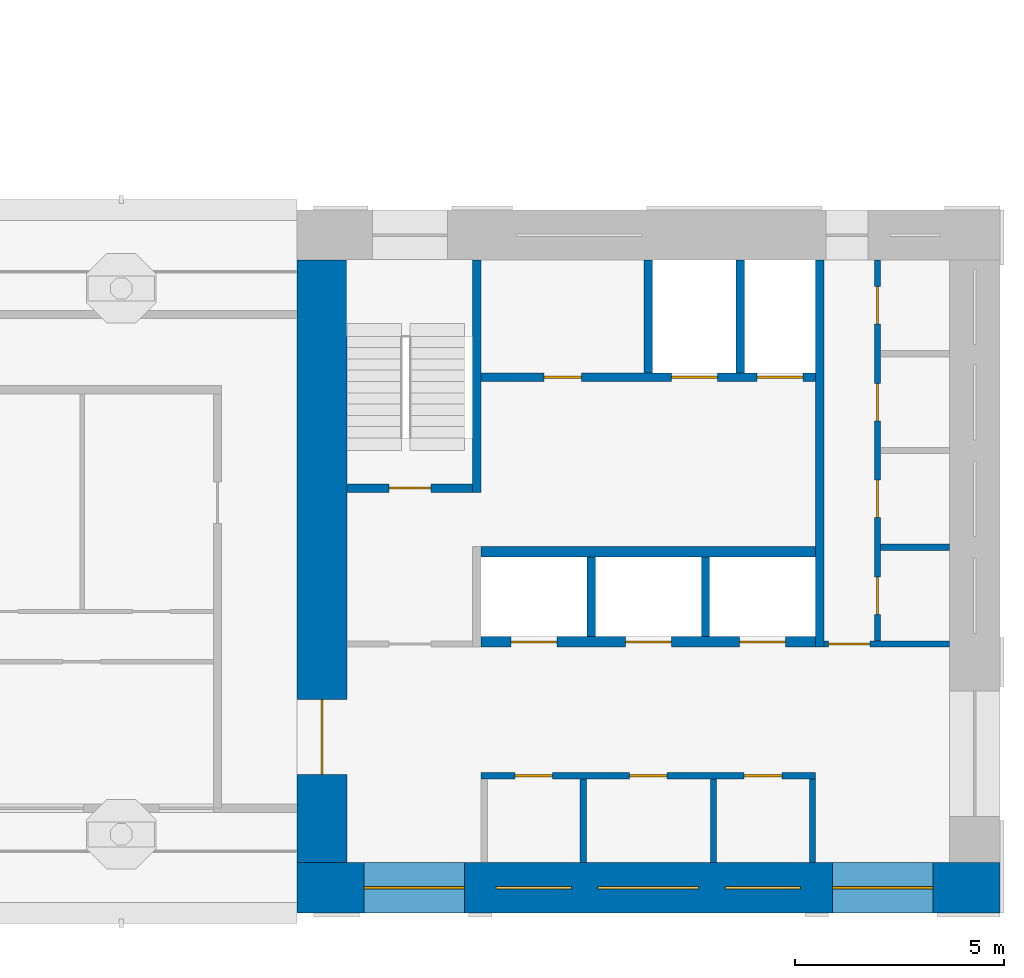
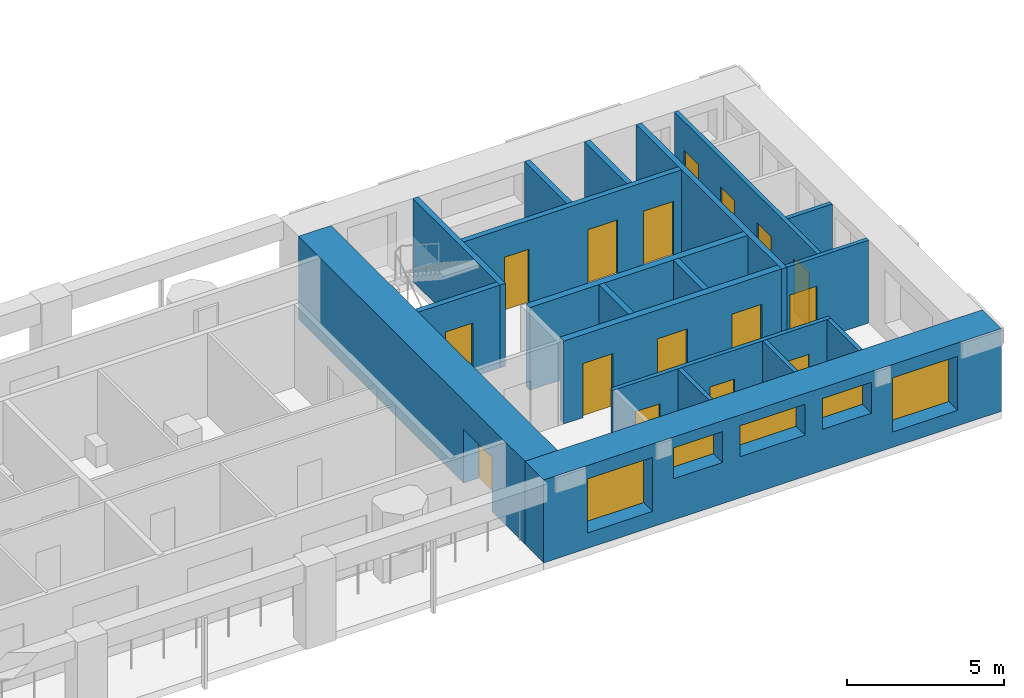
# One storey, part 4 of 12: 19 walls, 16 doors, 5 windows, 21 openings.
"""IFC4 building model written with IfcOpenShell, lengths in metres."""

import ifcopenshell
import ifcopenshell.guid

model = None  # the IFC model being written
_history = None  # IfcOwnerHistory: only IFC2X3 demands one
_inside = {}  # id of a spatial element -> (the spatial element, [elements in it])
_under = {}  # id of a project, library or spatial element -> (it, [spatial elements below it])
_declared = {}  # id of a project -> (the project, [libraries it declares])
_typed = {}  # id of a type object -> (the type object, [elements of that type])
_made_of = {}  # id of a material, layer set ... -> (it, [elements and type objects made of it])


def new_model(schema):
    """Start an empty IFC model of exactly this schema.

    Asked for "IFC4X3", IfcOpenShell would pick the latest addendum, in which some entities
    have other attributes; the version numbers below select the first issue.
    IFC2X3 requires an IfcOwnerHistory on every rooted entity: one is made here for all.
    """
    global model, _history
    if schema == "IFC4X3":
        model = ifcopenshell.file(schema_version=(4, 3, 0, 0))
    else:
        model = ifcopenshell.file(schema=schema)
    _inside.clear()
    _under.clear()
    _declared.clear()
    _typed.clear()
    _made_of.clear()
    _history = None
    if model.schema == "IFC2X3":
        org = make("IfcOrganization", Name="unknown")
        user = make(
            "IfcPersonAndOrganization",
            ThePerson=make("IfcPerson", FamilyName="unknown"),
            TheOrganization=org,
        )
        app = make(
            "IfcApplication",
            ApplicationDeveloper=org,
            Version="unknown",
            ApplicationFullName="unknown",
            ApplicationIdentifier="unknown",
        )
        _history = make(
            "IfcOwnerHistory",
            OwningUser=user,
            OwningApplication=app,
            ChangeAction="ADDED",
            CreationDate=0,
        )
    return model


def make(cls, **values):
    """One entity of the class cls with the attributes given. An attribute that is None is left unset."""
    return model.create_entity(
        cls, **{name: value for name, value in values.items() if value is not None}
    )


def rooted(cls, **values):
    """An entity with a GlobalId (a new one), such as an element, a storey or a relation."""
    return make(cls, GlobalId=ifcopenshell.guid.new(), OwnerHistory=_history, **values)


def si_unit(unit_type, name, prefix=None):
    """IfcSIUnit, for example si_unit("LENGTHUNIT", "METRE", prefix="MILLI")."""
    return make("IfcSIUnit", UnitType=unit_type, Prefix=prefix, Name=name)


def assignment(units):
    """IfcUnitAssignment: the units of a project."""
    return None if units is None else make("IfcUnitAssignment", Units=units)


def point(xyz):
    """IfcCartesianPoint."""
    return None if xyz is None else make("IfcCartesianPoint", Coordinates=xyz)


def direction(xyz):
    """IfcDirection."""
    return None if xyz is None else make("IfcDirection", DirectionRatios=xyz)


def frame(location, z_axis=None, x_axis=None):
    """IfcAxis2Placement3D, a coordinate frame: its origin and axes. An axis left out is left unset."""
    return make(
        "IfcAxis2Placement3D",
        Location=point(location),
        Axis=direction(z_axis),
        RefDirection=direction(x_axis),
    )


def frame_2d(location, x_axis=None):
    """IfcAxis2Placement2D, a coordinate frame in the plane: its origin and x axis."""
    return make(
        "IfcAxis2Placement2D", Location=point(location), RefDirection=direction(x_axis)
    )


def origin():
    """The frame at (0, 0, 0) with its axes left unset."""
    return frame((0.0, 0.0, 0.0))


def place(relative_to, where):
    """IfcLocalPlacement: puts the frame where relative to a parent placement (None: the world)."""
    return make(
        "IfcLocalPlacement", PlacementRelTo=relative_to, RelativePlacement=where
    )


def context(
    kind, dimensions, precision=None, world=None, true_north=None, identifier=None
):
    """IfcGeometricRepresentationContext, for example the 3D "Model" context."""
    return make(
        "IfcGeometricRepresentationContext",
        ContextIdentifier=identifier,
        ContextType=kind,
        CoordinateSpaceDimension=dimensions,
        Precision=precision,
        WorldCoordinateSystem=world,
        TrueNorth=true_north,
    )


def subcontext(parent, identifier, kind, view, scale=None):
    """IfcGeometricRepresentationSubContext, for example "Body" below "Model"."""
    return make(
        "IfcGeometricRepresentationSubContext",
        ContextIdentifier=identifier,
        ContextType=kind,
        ParentContext=parent,
        TargetScale=scale,
        TargetView=view,
    )


def project(units=None, contexts=None):
    """IfcProject with its units and contexts."""
    return rooted(
        "IfcProject",
        Name="project",
        RepresentationContexts=contexts,
        UnitsInContext=assignment(units),
    )


def spatial(cls, under=None, at=None, **own):
    """A site, building, storey or space (cls), placed at a placement, below another one or the project."""
    s = rooted(cls, ObjectPlacement=at, **own)
    if under is not None:
        _under.setdefault(under.id(), (under, []))[1].append(s)
    return s


def profile(cls, at=None, kind="AREA", **sizes):
    """A parametric profile (cls). Its sizes go by their IFC names, for example OverallWidth=200.0."""
    return make(cls, ProfileType=kind, Position=at, **sizes)


def rectangle(**sizes):
    """IfcRectangleProfileDef."""
    return profile("IfcRectangleProfileDef", **sizes)


def extrude(swept, where, along, depth):
    """IfcExtrudedAreaSolid: the profile swept, set in the frame where, extruded along a direction by depth."""
    return make(
        "IfcExtrudedAreaSolid",
        SweptArea=swept,
        Position=where,
        ExtrudedDirection=direction(along),
        Depth=depth,
    )


def shape(context_of_items, identifier, shape_type, items):
    """IfcShapeRepresentation: the items that make up one representation, for example the "Body"."""
    return make(
        "IfcShapeRepresentation",
        ContextOfItems=context_of_items,
        RepresentationIdentifier=identifier,
        RepresentationType=shape_type,
        Items=items,
    )


def material(Name=None, Category=None):
    """IfcMaterial."""
    return make("IfcMaterial", Name=Name, Category=Category)


def layer(
    of_material, thickness, ventilated=None, Name=None, Category=None, Priority=None
):
    """IfcMaterialLayer: one layer of a wall or slab, of a material (None: an air gap)."""
    return make(
        "IfcMaterialLayer",
        Material=of_material,
        LayerThickness=thickness,
        IsVentilated=ventilated,
        Name=Name,
        Category=Category,
        Priority=Priority,
    )


def layer_set(layers, Name=None):
    """IfcMaterialLayerSet."""
    return make("IfcMaterialLayerSet", MaterialLayers=layers, LayerSetName=Name)


def made_of(thing, what):
    """Note that an element or type object is made of a material, layer set ...; save() writes the relation."""
    if what is not None:
        _made_of.setdefault(what.id(), (what, []))[1].append(thing)
    return thing


def type_object(cls, material=None, **own):
    """A type object (cls), such as IfcWallType, which elements share."""
    return made_of(rooted(cls, **own), material)


def element(
    cls,
    number,
    at=None,
    inside=None,
    cuts=None,
    type_object=None,
    material=None,
    context=None,
    identifier="Body",
    shape_type=None,
    held_by="IfcProductDefinitionShape",
    body=None,
    shapes=None,
    **own,
):
    """One element of the class cls, such as IfcWall. Its Tag is "e" and its number.

    at: its placement. inside: the storey or other place that contains it. cuts: it is an
    opening in that element (IfcRelVoidsElement). A single representation is given by context,
    identifier, shape_type and body (its items); several are given by shapes. held_by: the class
    of the entity that holds the representations. save() writes the other relations.
    """
    e = rooted(cls, Tag="e%d" % number, ObjectPlacement=at, **own)
    if body is not None:
        shapes = [shape(context, identifier, shape_type, body)]
    if shapes is not None:
        e.Representation = make(held_by, Representations=shapes)
    if inside is not None:
        _inside.setdefault(inside.id(), (inside, []))[1].append(e)
    if cuts is not None:
        rooted(
            "IfcRelVoidsElement", RelatingBuildingElement=cuts, RelatedOpeningElement=e
        )
    if type_object is not None:
        _typed.setdefault(type_object.id(), (type_object, []))[1].append(e)
    return made_of(e, material)


def fill(opening, filler):
    """IfcRelFillsElement: the door or window that sits in an opening."""
    return rooted(
        "IfcRelFillsElement",
        RelatingOpeningElement=opening,
        RelatedBuildingElement=filler,
    )


def aggregate(whole, parts):
    """IfcRelAggregates: a whole, such as a stair, and the parts it consists of."""
    return rooted("IfcRelAggregates", RelatingObject=whole, RelatedObjects=parts)


def save(model, path):
    """Write the relations noted so far, then the file.

    IfcRelAggregates (storeys below a building ...), IfcRelContainedInSpatialStructure (elements
    in a storey), IfcRelDefinesByType, IfcRelAssociatesMaterial and IfcRelDeclares: one each for
    every whole, place, type object, material and project.
    """
    for whole, parts in _under.values():
        aggregate(whole, parts)
    for where, things in _inside.values():
        rooted(
            "IfcRelContainedInSpatialStructure",
            RelatedElements=things,
            RelatingStructure=where,
        )
    for kind, things in _typed.values():
        rooted("IfcRelDefinesByType", RelatedObjects=things, RelatingType=kind)
    for what, things in _made_of.values():
        rooted("IfcRelAssociatesMaterial", RelatedObjects=things, RelatingMaterial=what)
    for by, libraries in _declared.values():
        rooted("IfcRelDeclares", RelatingContext=by, RelatedDefinitions=libraries)
    model.write(path)


model = new_model("IFC4")

# Units and contexts
model_context = context("Model", 3, precision=1e-05, world=origin(), true_north=direction((0.0, 1.0)))
body_context = subcontext(model_context, "Body", "Model", "MODEL_VIEW")
ifc_project = project(units=[si_unit("LENGTHUNIT", "METRE"), si_unit("AREAUNIT", "SQUARE_METRE"), si_unit("VOLUMEUNIT", "CUBIC_METRE"), si_unit("PLANEANGLEUNIT", "RADIAN"), si_unit("MASSUNIT", "GRAM", prefix="KILO")], contexts=[model_context])

# Site, building, storey
site_placement = place(None, origin())
site = spatial("IfcSite", under=ifc_project, at=site_placement, CompositionType="ELEMENT")
building_placement = place(site_placement, origin())
building = spatial("IfcBuilding", under=site, at=building_placement, Name="Vermilion Gate Residences", CompositionType="ELEMENT")
storey_placement = place(building_placement, frame((0.0, 0.0, 242.199951171875)))
storey = spatial("IfcBuildingStorey", under=building, at=storey_placement, Name="L63", CompositionType="ELEMENT", Elevation=242.199951171875)

# Walls
ifc_material_1 = material(Name="Masonry blockwork", Category="masonry")
ifc_layer_1 = layer(ifc_material_1, 0.14990234375)
ifc_layer_set_1 = layer_set([ifc_layer_1], Name="BLOCKWORK PARTITION 150 EI 120")
wall_type_1 = type_object("IfcWallType", Name="BLOCKWORK PARTITION 150 EI 120", PredefinedType="PARTITIONING", material=ifc_layer_set_1)
for number, where, z_axis, x_axis, name in (
    (1, (54.324951171875, 9.60009765625, 0.0), (0.0, 0.0, 1.0), (0.0, 1.0, 0.0), "Core room partition A63-RW-E"),
    (2, (48.844970703125, 9.60009765625, 0.0), (0.0, 0.0, 1.0), (0.0, 1.0, 0.0), "Core room partition A63-SR-P0"),
    (3, (51.955078125, 9.60009765625, 0.0), (0.0, 0.0, 1.0), (0.0, 1.0, 0.0), "Core room partition A63-SR-P1"),
):
    element("IfcWall", number, at=place(storey_placement, frame(where, z_axis=z_axis, x_axis=x_axis)), inside=storey, type_object=wall_type_1, Name=name, PredefinedType="PARTITIONING", context=body_context, shape_type="SweptSolid", body=[
        extrude(rectangle(XDim=2.0, YDim=0.14990234375, at=frame_2d((1.0, 0.0))), origin(), (0.0, 0.0, 1.0), 3.219970703125),
    ])

# Wall, openings, doors
wall_1_placement = place(storey_placement, frame((46.39990234375, 11.675048828125, 0.0), z_axis=(0.0, 0.0, 1.0), x_axis=(1.0, 0.0, 0.0)))
wall_1 = element("IfcWall", 4, at=wall_1_placement, inside=storey, type_object=wall_type_1, Name="Core room partition A63-LR-F", PredefinedType="PARTITIONING", context=body_context, shape_type="SweptSolid", body=[
    extrude(rectangle(XDim=8.0, YDim=0.14990234375, at=frame_2d((4.0, 0.0))), origin(), (0.0, 0.0, 1.0), 3.219970703125),
])
opening_1_placement = place(wall_1_placement, frame((0.81005859375, 0.0, 0.0)))
opening_1 = element("IfcOpeningElement", 5, at=opening_1_placement, cuts=wall_1, Name="Opening DK63002", PredefinedType="OPENING", context=body_context, shape_type="SweptSolid", body=[
    extrude(rectangle(XDim=0.89990234375, YDim=2.10009765625, at=frame_2d((0.449951171875, 1.050048828125))), frame((0.0, 0.0849609375, 0.0), z_axis=(0.0, -1.0, 0.0), x_axis=(1.0, 0.0, 0.0)), (0.0, 0.0, 1.0), 0.169921875),
])
opening_2_placement = place(wall_1_placement, frame((3.550048828125, 0.0, 0.0)))
opening_2 = element("IfcOpeningElement", 6, at=opening_2_placement, cuts=wall_1, Name="Opening DK63003", PredefinedType="OPENING", context=body_context, shape_type="SweptSolid", body=[
    extrude(rectangle(XDim=0.89990234375, YDim=2.10009765625, at=frame_2d((0.449951171875, 1.050048828125))), frame((0.0, 0.0849609375, 0.0), z_axis=(0.0, -1.0, 0.0), x_axis=(1.0, 0.0, 0.0)), (0.0, 0.0, 1.0), 0.169921875),
])
opening_3_placement = place(wall_1_placement, frame((6.2900390625, 0.0, 0.0)))
opening_3 = element("IfcOpeningElement", 7, at=opening_3_placement, cuts=wall_1, Name="Opening DK63004", PredefinedType="OPENING", context=body_context, shape_type="SweptSolid", body=[
    extrude(rectangle(XDim=0.89990234375, YDim=2.10009765625, at=frame_2d((0.449951171875, 1.050048828125))), frame((0.0, 0.0849609375, 0.0), z_axis=(0.0, -1.0, 0.0), x_axis=(1.0, 0.0, 0.0)), (0.0, 0.0, 1.0), 0.169921875),
])
ifc_material_2 = material(Name="Steel", Category="steel")
door_type_1 = type_object("IfcDoorType", Name="SERVICE ROOM DOOR FD60 900 X 2100", OperationType="SINGLE_SWING_LEFT", PredefinedType="DOOR", material=ifc_material_2)
door_1_placement = place(opening_1_placement, origin())
door_1 = element("IfcDoor", 8, at=door_1_placement, inside=storey, type_object=door_type_1, Name="Electrical room A63", OperationType="SINGLE_SWING_LEFT", OverallHeight=2.10009765625, OverallWidth=0.89990234375, PredefinedType="DOOR", context=body_context, shape_type="SweptSolid", body=[
    extrude(rectangle(XDim=0.89990234375, YDim=2.10009765625, at=frame_2d((0.449951171875, 1.050048828125))), frame((0.0, 0.02490234375, 0.0), z_axis=(0.0, -1.0, 0.0), x_axis=(1.0, 0.0, 0.0)), (0.0, 0.0, 1.0), 0.050048828125),
])
fill(opening_1, door_1)
door_2_placement = place(opening_2_placement, frame((0.89990234375, 0.0, 0.0), z_axis=(0.0, 0.0, 1.0), x_axis=(-1.0, 0.0, 0.0)))
door_2 = element("IfcDoor", 9, at=door_2_placement, inside=storey, type_object=door_type_1, Name="Communications room A63", OperationType="SINGLE_SWING_RIGHT", OverallHeight=2.10009765625, OverallWidth=0.89990234375, PredefinedType="DOOR", context=body_context, shape_type="SweptSolid", body=[
    extrude(rectangle(XDim=0.89990234375, YDim=2.10009765625, at=frame_2d((0.449951171875, 1.050048828125))), frame((0.0, 0.02490234375, 0.0), z_axis=(0.0, -1.0, 0.0), x_axis=(1.0, 0.0, 0.0)), (0.0, 0.0, 1.0), 0.050048828125),
])
fill(opening_2, door_2)
door_3_placement = place(opening_3_placement, frame((0.89990234375, 0.0, 0.0), z_axis=(0.0, 0.0, 1.0), x_axis=(-1.0, 0.0, 0.0)))
door_3 = element("IfcDoor", 10, at=door_3_placement, inside=storey, type_object=door_type_1, Name="Refuse room A63", OperationType="SINGLE_SWING_RIGHT", OverallHeight=2.10009765625, OverallWidth=0.89990234375, PredefinedType="DOOR", context=body_context, shape_type="SweptSolid", body=[
    extrude(rectangle(XDim=0.89990234375, YDim=2.10009765625, at=frame_2d((0.449951171875, 1.050048828125))), frame((0.0, 0.02490234375, 0.0), z_axis=(0.0, -1.0, 0.0), x_axis=(1.0, 0.0, 0.0)), (0.0, 0.0, 1.0), 0.050048828125),
])
fill(opening_3, door_3)

# Wall, opening, door
wall_2_placement = place(storey_placement, frame((54.60009765625, 14.824951171875, 0.0), z_axis=(0.0, 0.0, 1.0), x_axis=(1.0, 0.0, 0.0)))
wall_2 = element("IfcWall", 11, at=wall_2_placement, inside=storey, type_object=wall_type_1, Name="Core room partition A63-ES-S", PredefinedType="PARTITIONING", context=body_context, shape_type="SweptSolid", body=[
    extrude(rectangle(XDim=3.0, YDim=0.14990234375, at=frame_2d((1.5, 0.0))), origin(), (0.0, 0.0, 1.0), 3.219970703125),
])
opening_4_placement = place(wall_2_placement, frame((0.10009765625, 0.0, 0.0)))
opening_4 = element("IfcOpeningElement", 12, at=opening_4_placement, cuts=wall_2, Name="Opening DK63013", PredefinedType="OPENING", context=body_context, shape_type="SweptSolid", body=[
    extrude(rectangle(XDim=1.0, YDim=2.10009765625, at=frame_2d((0.5, 1.050048828125))), frame((0.0, 0.0849609375, 0.0), z_axis=(0.0, -1.0, 0.0), x_axis=(1.0, 0.0, 0.0)), (0.0, 0.0, 1.0), 0.169921875),
])
ifc_material_3 = material(Name="Steel", Category="steel")
door_type_2 = type_object("IfcDoorType", Name="FIRE DOOR FD60 1000 X 2100", OperationType="SINGLE_SWING_LEFT", PredefinedType="DOOR", material=ifc_material_3)
door_4_placement = place(opening_4_placement, frame((1.0, 0.0, 0.0), z_axis=(0.0, 0.0, 1.0), x_axis=(-1.0, 0.0, 0.0)))
door_4 = element("IfcDoor", 13, at=door_4_placement, inside=storey, type_object=door_type_2, Name="Service corridor door A63", OperationType="SINGLE_SWING_LEFT", OverallHeight=2.10009765625, OverallWidth=1.0, PredefinedType="DOOR", context=body_context, shape_type="SweptSolid", body=[
    extrude(rectangle(XDim=1.0, YDim=2.10009765625, at=frame_2d((0.5, 1.050048828125))), frame((0.0, 0.02490234375, 0.0), z_axis=(0.0, -1.0, 0.0), x_axis=(1.0, 0.0, 0.0)), (0.0, 0.0, 1.0), 0.050048828125),
])
fill(opening_4, door_4)

# Wall
wall_3_placement = place(storey_placement, frame((55.949951171875, 17.137451171875, 0.0), z_axis=(0.0, 0.0, 1.0), x_axis=(1.0, 0.0, 0.0)))
element("IfcWall", 14, at=wall_3_placement, inside=storey, type_object=wall_type_1, Name="Core room partition A63-ES-P0", PredefinedType="PARTITIONING", context=body_context, shape_type="SweptSolid", body=[
    extrude(rectangle(XDim=1.650146484375, YDim=0.14990234375, at=frame_2d((0.8251953125, 0.0))), origin(), (0.0, 0.0, 1.0), 3.219970703125),
])

# Wall, openings, doors
wall_4_placement = place(storey_placement, frame((55.875, 14.89990234375, 0.0), z_axis=(0.0, 0.0, 1.0), x_axis=(0.0, 1.0, 0.0)))
wall_4 = element("IfcWall", 15, at=wall_4_placement, inside=storey, type_object=wall_type_1, Name="Core room partition A63-ES-W", PredefinedType="PARTITIONING", context=body_context, shape_type="SweptSolid", body=[
    extrude(rectangle(XDim=9.10009765625, YDim=0.14990234375, at=frame_2d((4.550048828125, 0.0))), origin(), (0.0, 0.0, 1.0), 3.219970703125),
])
opening_5_placement = place(wall_4_placement, frame((0.63134765625, 0.0, 0.0)))
opening_5 = element("IfcOpeningElement", 16, at=opening_5_placement, cuts=wall_4, Name="Opening DK63014", PredefinedType="OPENING", context=body_context, shape_type="SweptSolid", body=[
    extrude(rectangle(XDim=0.89990234375, YDim=2.10009765625, at=frame_2d((0.449951171875, 1.050048828125))), frame((0.0, 0.0849609375, 0.0), z_axis=(0.0, -1.0, 0.0), x_axis=(1.0, 0.0, 0.0)), (0.0, 0.0, 1.0), 0.169921875),
])
opening_6_placement = place(wall_4_placement, frame((2.94384765625, 0.0, 0.0)))
opening_6 = element("IfcOpeningElement", 17, at=opening_6_placement, cuts=wall_4, Name="Opening DK63015", PredefinedType="OPENING", context=body_context, shape_type="SweptSolid", body=[
    extrude(rectangle(XDim=0.89990234375, YDim=2.10009765625, at=frame_2d((0.449951171875, 1.050048828125))), frame((0.0, 0.0849609375, 0.0), z_axis=(0.0, -1.0, 0.0), x_axis=(1.0, 0.0, 0.0)), (0.0, 0.0, 1.0), 0.169921875),
])
opening_7_placement = place(wall_4_placement, frame((5.25634765625, 0.0, 0.0)))
opening_7 = element("IfcOpeningElement", 18, at=opening_7_placement, cuts=wall_4, Name="Opening DK63016", PredefinedType="OPENING", context=body_context, shape_type="SweptSolid", body=[
    extrude(rectangle(XDim=0.89990234375, YDim=2.10009765625, at=frame_2d((0.449951171875, 1.050048828125))), frame((0.0, 0.0849609375, 0.0), z_axis=(0.0, -1.0, 0.0), x_axis=(1.0, 0.0, 0.0)), (0.0, 0.0, 1.0), 0.169921875),
])
opening_8_placement = place(wall_4_placement, frame((7.56884765625, 0.0, 0.0)))
opening_8 = element("IfcOpeningElement", 19, at=opening_8_placement, cuts=wall_4, Name="Opening DK63017", PredefinedType="OPENING", context=body_context, shape_type="SweptSolid", body=[
    extrude(rectangle(XDim=0.89990234375, YDim=2.10009765625, at=frame_2d((0.449951171875, 1.050048828125))), frame((0.0, 0.0849609375, 0.0), z_axis=(0.0, -1.0, 0.0), x_axis=(1.0, 0.0, 0.0)), (0.0, 0.0, 1.0), 0.169921875),
])
door_5_placement = place(opening_5_placement, frame((0.89990234375, 0.0, 0.0), z_axis=(0.0, 0.0, 1.0), x_axis=(-1.0, 0.0, 0.0)))
door_5 = element("IfcDoor", 20, at=door_5_placement, inside=storey, type_object=door_type_1, Name="Storage room A63", OperationType="SINGLE_SWING_RIGHT", OverallHeight=2.10009765625, OverallWidth=0.89990234375, PredefinedType="DOOR", context=body_context, shape_type="SweptSolid", body=[
    extrude(rectangle(XDim=0.89990234375, YDim=2.10009765625, at=frame_2d((0.449951171875, 1.050048828125))), frame((0.0, 0.02490234375, 0.0), z_axis=(0.0, -1.0, 0.0), x_axis=(1.0, 0.0, 0.0)), (0.0, 0.0, 1.0), 0.050048828125),
])
fill(opening_5, door_5)
door_6_placement = place(opening_6_placement, frame((0.89990234375, 0.0, 0.0), z_axis=(0.0, 0.0, 1.0), x_axis=(-1.0, 0.0, 0.0)))
door_6 = element("IfcDoor", 21, at=door_6_placement, inside=storey, type_object=door_type_1, Name="Refuse room A63", OperationType="SINGLE_SWING_RIGHT", OverallHeight=2.10009765625, OverallWidth=0.89990234375, PredefinedType="DOOR", context=body_context, shape_type="SweptSolid", body=[
    extrude(rectangle(XDim=0.89990234375, YDim=2.10009765625, at=frame_2d((0.449951171875, 1.050048828125))), frame((0.0, 0.02490234375, 0.0), z_axis=(0.0, -1.0, 0.0), x_axis=(1.0, 0.0, 0.0)), (0.0, 0.0, 1.0), 0.050048828125),
])
fill(opening_6, door_6)
door_7_placement = place(opening_7_placement, frame((0.89990234375, 0.0, 0.0), z_axis=(0.0, 0.0, 1.0), x_axis=(-1.0, 0.0, 0.0)))
door_7 = element("IfcDoor", 22, at=door_7_placement, inside=storey, type_object=door_type_1, Name="Parcel room A63", OperationType="SINGLE_SWING_RIGHT", OverallHeight=2.10009765625, OverallWidth=0.89990234375, PredefinedType="DOOR", context=body_context, shape_type="SweptSolid", body=[
    extrude(rectangle(XDim=0.89990234375, YDim=2.10009765625, at=frame_2d((0.449951171875, 1.050048828125))), frame((0.0, 0.02490234375, 0.0), z_axis=(0.0, -1.0, 0.0), x_axis=(1.0, 0.0, 0.0)), (0.0, 0.0, 1.0), 0.050048828125),
])
fill(opening_7, door_7)
door_8_placement = place(opening_8_placement, frame((0.89990234375, 0.0, 0.0), z_axis=(0.0, 0.0, 1.0), x_axis=(-1.0, 0.0, 0.0)))
door_8 = element("IfcDoor", 23, at=door_8_placement, inside=storey, type_object=door_type_1, Name="Cleaner's store A63", OperationType="SINGLE_SWING_RIGHT", OverallHeight=2.10009765625, OverallWidth=0.89990234375, PredefinedType="DOOR", context=body_context, shape_type="SweptSolid", body=[
    extrude(rectangle(XDim=0.89990234375, YDim=2.10009765625, at=frame_2d((0.449951171875, 1.050048828125))), frame((0.0, 0.02490234375, 0.0), z_axis=(0.0, -1.0, 0.0), x_axis=(1.0, 0.0, 0.0)), (0.0, 0.0, 1.0), 0.050048828125),
])
fill(opening_8, door_8)

# Walls
ifc_material_4 = material(Name="Concrete C60", Category="concrete")
ifc_layer_2 = layer(ifc_material_4, 0.199951171875)
ifc_layer_set_2 = layer_set([ifc_layer_2], Name="RC CORE INTERNAL WALL 200 C60")
wall_type_2 = type_object("IfcWallType", Name="RC CORE INTERNAL WALL 200 C60", PredefinedType="SHEAR", material=ifc_layer_set_2)
for number, where, z_axis, x_axis, name in (
    (24, (49.033447265625, 15.0, 0.0), (0.0, 0.0, 1.0), (0.0, 1.0, 0.0), "Core internal wall A63-HR-D1"),
    (25, (51.7666015625, 15.0, 0.0), (0.0, 0.0, 1.0), (0.0, 1.0, 0.0), "Core internal wall A63-HR-D2"),
):
    element("IfcWall", number, at=place(storey_placement, frame(where, z_axis=z_axis, x_axis=x_axis)), inside=storey, type_object=wall_type_2, Name=name, PredefinedType="SHEAR", context=body_context, shape_type="SweptSolid", body=[
        extrude(rectangle(XDim=1.89990234375, YDim=0.199951171875, at=frame_2d((0.949951171875, 0.0))), origin(), (0.0, 0.0, 1.0), 3.219970703125),
    ])
for number, where, z_axis, x_axis, name in (
    (26, (50.39990234375, 21.300048828125, 0.0), (0.0, 0.0, 1.0), (0.0, 1.0, 0.0), "Core internal wall A63-FF-D0"),
    (27, (52.60009765625, 21.300048828125, 0.0), (0.0, 0.0, 1.0), (0.0, 1.0, 0.0), "Core internal wall A63-FF-D1"),
):
    element("IfcWall", number, at=place(storey_placement, frame(where, z_axis=z_axis, x_axis=x_axis)), inside=storey, type_object=wall_type_2, Name=name, PredefinedType="SHEAR", context=body_context, shape_type="SweptSolid", body=[
        extrude(rectangle(XDim=2.699951171875, YDim=0.199951171875, at=frame_2d((1.35009765625, 0.0))), origin(), (0.0, 0.0, 1.0), 3.219970703125),
    ])

# Wall, openings, doors
wall_5_placement = place(storey_placement, frame((46.39990234375, 21.199951171875, 0.0), z_axis=(0.0, 0.0, 1.0), x_axis=(1.0, 0.0, 0.0)))
wall_5 = element("IfcWall", 28, at=wall_5_placement, inside=storey, type_object=wall_type_2, Name="Core internal wall A63-FF-F", PredefinedType="SHEAR", context=body_context, shape_type="SweptSolid", body=[
    extrude(rectangle(XDim=8.0, YDim=0.199951171875, at=frame_2d((4.0, 0.0))), origin(), (0.0, 0.0, 1.0), 3.219970703125),
])
opening_9_placement = place(wall_5_placement, frame((1.5, 0.0, 0.0)))
opening_9 = element("IfcOpeningElement", 29, at=opening_9_placement, cuts=wall_5, Name="Opening DK63008", PredefinedType="OPENING", context=body_context, shape_type="SweptSolid", body=[
    extrude(rectangle(XDim=0.89990234375, YDim=2.10009765625, at=frame_2d((0.449951171875, 1.050048828125))), frame((0.0, 0.10986328125, 0.0), z_axis=(0.0, -1.0, 0.0), x_axis=(1.0, 0.0, 0.0)), (0.0, 0.0, 1.0), 0.219970703125),
])
opening_10_placement = place(wall_5_placement, frame((4.550048828125, 0.0, 0.0)))
opening_10 = element("IfcOpeningElement", 30, at=opening_10_placement, cuts=wall_5, Name="Opening LD", PredefinedType="OPENING", context=body_context, shape_type="SweptSolid", body=[
    extrude(rectangle(XDim=1.10009765625, YDim=2.10009765625, at=frame_2d((0.550048828125, 1.050048828125))), frame((0.0, 0.10986328125, 0.0), z_axis=(0.0, -1.0, 0.0), x_axis=(1.0, 0.0, 0.0)), (0.0, 0.0, 1.0), 0.219970703125),
])
opening_11_placement = place(wall_5_placement, frame((6.60009765625, 0.0, 0.0)))
opening_11 = element("IfcOpeningElement", 31, at=opening_11_placement, cuts=wall_5, Name="Opening LD", PredefinedType="OPENING", context=body_context, shape_type="SweptSolid", body=[
    extrude(rectangle(XDim=1.10009765625, YDim=2.10009765625, at=frame_2d((0.550048828125, 1.050048828125))), frame((0.0, 0.10986328125, 0.0), z_axis=(0.0, -1.0, 0.0), x_axis=(1.0, 0.0, 0.0)), (0.0, 0.0, 1.0), 0.219970703125),
])
ifc_material_5 = material(Name="Stainless steel", Category="steel")
door_type_3 = type_object("IfcDoorType", Name="LIFT LANDING DOOR E60 1100 X 2100", OperationType="DOUBLE_DOOR_SLIDING", PredefinedType="DOOR", material=ifc_material_5)
door_9_placement = place(opening_10_placement, origin())
door_9 = element("IfcDoor", 32, at=door_9_placement, inside=storey, type_object=door_type_3, Name="Lift landing door LFA1", OperationType="DOUBLE_DOOR_SLIDING", OverallHeight=2.10009765625, OverallWidth=1.10009765625, PredefinedType="DOOR", context=body_context, shape_type="SweptSolid", body=[
    extrude(rectangle(XDim=1.10009765625, YDim=2.10009765625, at=frame_2d((0.550048828125, 1.050048828125))), frame((0.0, 0.02490234375, 0.0), z_axis=(0.0, -1.0, 0.0), x_axis=(1.0, 0.0, 0.0)), (0.0, 0.0, 1.0), 0.050048828125),
])
fill(opening_10, door_9)
door_10_placement = place(opening_11_placement, origin())
door_10 = element("IfcDoor", 33, at=door_10_placement, inside=storey, type_object=door_type_3, Name="Lift landing door LCA1", OperationType="DOUBLE_DOOR_SLIDING", OverallHeight=2.10009765625, OverallWidth=1.10009765625, PredefinedType="DOOR", context=body_context, shape_type="SweptSolid", body=[
    extrude(rectangle(XDim=1.10009765625, YDim=2.10009765625, at=frame_2d((0.550048828125, 1.050048828125))), frame((0.0, 0.02490234375, 0.0), z_axis=(0.0, -1.0, 0.0), x_axis=(1.0, 0.0, 0.0)), (0.0, 0.0, 1.0), 0.050048828125),
])
fill(opening_11, door_10)
door_11_placement = place(opening_9_placement, origin())
door_11 = element("IfcDoor", 34, at=door_11_placement, inside=storey, type_object=door_type_1, Name="Electrical riser A63", OperationType="SINGLE_SWING_LEFT", OverallHeight=2.10009765625, OverallWidth=0.89990234375, PredefinedType="DOOR", context=body_context, shape_type="SweptSolid", body=[
    extrude(rectangle(XDim=0.89990234375, YDim=2.10009765625, at=frame_2d((0.449951171875, 1.050048828125))), frame((0.0, 0.02490234375, 0.0), z_axis=(0.0, -1.0, 0.0), x_axis=(1.0, 0.0, 0.0)), (0.0, 0.0, 1.0), 0.050048828125),
])
fill(opening_9, door_11)

# Wall
wall_6_placement = place(storey_placement, frame((46.300048828125, 18.449951171875, 0.0), z_axis=(0.0, 0.0, 1.0), x_axis=(0.0, 1.0, 0.0)))
element("IfcWall", 35, at=wall_6_placement, inside=storey, type_object=wall_type_2, Name="Core internal wall A63-WDIV2", PredefinedType="SHEAR", context=body_context, shape_type="SweptSolid", body=[
    extrude(rectangle(XDim=5.550048828125, YDim=0.199951171875, at=frame_2d((2.77490234375, 0.0))), origin(), (0.0, 0.0, 1.0), 3.219970703125),
])

# Wall, opening, door
wall_7_placement = place(storey_placement, frame((43.199951171875, 18.550048828125, 0.0), z_axis=(0.0, 0.0, 1.0), x_axis=(1.0, 0.0, 0.0)))
wall_7 = element("IfcWall", 36, at=wall_7_placement, inside=storey, type_object=wall_type_2, Name="Core internal wall A63-STW-S", PredefinedType="SHEAR", context=body_context, shape_type="SweptSolid", body=[
    extrude(rectangle(XDim=3.0, YDim=0.199951171875, at=frame_2d((1.5, 0.0))), origin(), (0.0, 0.0, 1.0), 3.219970703125),
])
opening_12_placement = place(wall_7_placement, frame((1.0, 0.0, 0.0)))
opening_12 = element("IfcOpeningElement", 37, at=opening_12_placement, cuts=wall_7, Name="Opening DK63012", PredefinedType="OPENING", context=body_context, shape_type="SweptSolid", body=[
    extrude(rectangle(XDim=1.0, YDim=2.10009765625, at=frame_2d((0.5, 1.050048828125))), frame((0.0, 0.10986328125, 0.0), z_axis=(0.0, -1.0, 0.0), x_axis=(1.0, 0.0, 0.0)), (0.0, 0.0, 1.0), 0.219970703125),
])
door_12_placement = place(opening_12_placement, origin())
door_12 = element("IfcDoor", 38, at=door_12_placement, inside=storey, type_object=door_type_2, Name="Stair door A63", OperationType="SINGLE_SWING_LEFT", OverallHeight=2.10009765625, OverallWidth=1.0, PredefinedType="DOOR", context=body_context, shape_type="SweptSolid", body=[
    extrude(rectangle(XDim=1.0, YDim=2.10009765625, at=frame_2d((0.5, 1.050048828125))), frame((0.0, 0.02490234375, 0.0), z_axis=(0.0, -1.0, 0.0), x_axis=(1.0, 0.0, 0.0)), (0.0, 0.0, 1.0), 0.050048828125),
])
fill(opening_12, door_12)

# Wall
wall_8_placement = place(storey_placement, frame((54.5, 14.75, 0.0), z_axis=(0.0, 0.0, 1.0), x_axis=(0.0, 1.0, 0.0)))
element("IfcWall", 39, at=wall_8_placement, inside=storey, type_object=wall_type_2, Name="Core internal wall A63-EDIV", PredefinedType="SHEAR", context=body_context, shape_type="SweptSolid", body=[
    extrude(rectangle(XDim=9.25, YDim=0.199951171875, at=frame_2d((4.625, 0.0))), origin(), (0.0, 0.0, 1.0), 3.219970703125),
])

# Wall, opening, door
ifc_material_6 = material(Name="Concrete C50", Category="concrete")
ifc_layer_3 = layer(ifc_material_6, 1.199951171875)
ifc_layer_set_3 = layer_set([ifc_layer_3], Name="RC CORE WALL 1200 C50")
wall_type_3 = type_object("IfcWallType", Name="RC CORE WALL 1200 C50", PredefinedType="SHEAR", material=ifc_layer_set_3)
wall_9_placement = place(storey_placement, frame((42.60009765625, 9.60009765625, 0.0), z_axis=(0.0, 0.0, 1.0), x_axis=(0.0, 1.0, 0.0)))
wall_9 = element("IfcWall", 40, at=wall_9_placement, inside=storey, type_object=wall_type_3, Name="Core wall A63-OUT-FR", PredefinedType="SHEAR", context=body_context, shape_type="SweptSolid", body=[
    extrude(rectangle(XDim=14.39990234375, YDim=1.199951171875, at=frame_2d((7.199951171875, 0.0))), origin(), (0.0, 0.0, 1.0), 3.219970703125),
])
opening_13_placement = place(wall_9_placement, frame((2.10009765625, 0.0, 0.0)))
opening_13 = element("IfcOpeningElement", 41, at=opening_13_placement, cuts=wall_9, Name="Opening DK63001", PredefinedType="OPENING", context=body_context, shape_type="SweptSolid", body=[
    extrude(rectangle(XDim=1.800048828125, YDim=2.10009765625, at=frame_2d((0.89990234375, 1.050048828125))), frame((0.0, 0.60986328125, 0.0), z_axis=(0.0, -1.0, 0.0), x_axis=(1.0, 0.0, 0.0)), (0.0, 0.0, 1.0), 1.219970703125),
])
ifc_material_7 = material(Name="Steel", Category="steel")
door_type_4 = type_object("IfcDoorType", Name="CORE LOBBY DOOR FD60 1800 X 2100", OperationType="DOUBLE_DOOR_SINGLE_SWING", PredefinedType="DOOR", material=ifc_material_7)
door_13_placement = place(opening_13_placement, frame((1.800048828125, 0.0, 0.0), z_axis=(0.0, 0.0, 1.0), x_axis=(-1.0, 0.0, 0.0)))
door_13 = element("IfcDoor", 42, at=door_13_placement, inside=storey, type_object=door_type_4, Name="Core lobby door A63", OperationType="DOUBLE_DOOR_SINGLE_SWING", OverallHeight=2.10009765625, OverallWidth=1.800048828125, PredefinedType="DOOR", context=body_context, shape_type="SweptSolid", body=[
    extrude(rectangle(XDim=1.800048828125, YDim=2.10009765625, at=frame_2d((0.89990234375, 1.050048828125))), frame((0.0, 0.02490234375, 0.0), z_axis=(0.0, -1.0, 0.0), x_axis=(1.0, 0.0, 0.0)), (0.0, 0.0, 1.0), 0.050048828125),
])
fill(opening_13, door_13)

# Wall, openings, windows
ifc_material_8 = material(Name="Concrete C50 red-oxide pigmented", Category="concrete")
ifc_layer_4 = layer(ifc_material_8, 1.199951171875)
ifc_layer_set_4 = layer_set([ifc_layer_4], Name="RC CORE WALL 1200 C50 RED OXIDE")
wall_type_4 = type_object("IfcWallType", Name="RC CORE WALL 1200 C50 RED OXIDE", PredefinedType="SHEAR", material=ifc_layer_set_4)
wall_10_placement = place(storey_placement, frame((42.0, 9.0, 0.0), z_axis=(0.0, 0.0, 1.0), x_axis=(1.0, 0.0, 0.0)))
wall_10 = element("IfcWall", 43, at=wall_10_placement, inside=storey, type_object=wall_type_4, Name="Core wall A63-OUT-B0", PredefinedType="SHEAR", context=body_context, shape_type="SweptSolid", body=[
    extrude(rectangle(XDim=16.800048828125, YDim=1.199951171875, at=frame_2d((8.39990234375, 0.0))), origin(), (0.0, 0.0, 1.0), 3.219970703125),
])
opening_14_placement = place(wall_10_placement, frame((1.60009765625, 0.0, 0.60009765625)))
opening_14 = element("IfcOpeningElement", 44, at=opening_14_placement, cuts=wall_10, Name="Opening WKA6301", PredefinedType="OPENING", context=body_context, shape_type="SweptSolid", body=[
    extrude(rectangle(XDim=2.39990234375, YDim=2.10009765625, at=frame_2d((1.199951171875, 1.050048828125))), frame((0.0, 0.60986328125, 0.0), z_axis=(0.0, -1.0, 0.0), x_axis=(1.0, 0.0, 0.0)), (0.0, 0.0, 1.0), 1.219970703125),
])
opening_15_placement = place(wall_10_placement, frame((4.760009765625, 0.0, 1.60009765625)))
opening_15 = element("IfcOpeningElement", 45, at=opening_15_placement, cuts=wall_10, Name="Opening WKA6302", PredefinedType="OPENING", context=body_context, shape_type="SweptSolid", body=[
    extrude(rectangle(XDim=1.800048828125, YDim=1.199951171875, at=frame_2d((0.89990234375, 0.60009765625))), frame((0.0, 0.60986328125, 0.0), z_axis=(0.0, -1.0, 0.0), x_axis=(1.0, 0.0, 0.0)), (0.0, 0.0, 1.0), 1.219970703125),
])
opening_16_placement = place(wall_10_placement, frame((7.199951171875, 0.0, 1.60009765625)))
opening_16 = element("IfcOpeningElement", 46, at=opening_16_placement, cuts=wall_10, Name="Opening WKA6303", PredefinedType="OPENING", context=body_context, shape_type="SweptSolid", body=[
    extrude(rectangle(XDim=2.39990234375, YDim=1.199951171875, at=frame_2d((1.199951171875, 0.60009765625))), frame((0.0, 0.60986328125, 0.0), z_axis=(0.0, -1.0, 0.0), x_axis=(1.0, 0.0, 0.0)), (0.0, 0.0, 1.0), 1.219970703125),
])
opening_17_placement = place(wall_10_placement, frame((10.239990234375, 0.0, 1.60009765625)))
opening_17 = element("IfcOpeningElement", 47, at=opening_17_placement, cuts=wall_10, Name="Opening WKA6304", PredefinedType="OPENING", context=body_context, shape_type="SweptSolid", body=[
    extrude(rectangle(XDim=1.800048828125, YDim=1.199951171875, at=frame_2d((0.89990234375, 0.60009765625))), frame((0.0, 0.60986328125, 0.0), z_axis=(0.0, -1.0, 0.0), x_axis=(1.0, 0.0, 0.0)), (0.0, 0.0, 1.0), 1.219970703125),
])
opening_18_placement = place(wall_10_placement, frame((12.800048828125, 0.0, 0.60009765625)))
opening_18 = element("IfcOpeningElement", 48, at=opening_18_placement, cuts=wall_10, Name="Opening WKA6305", PredefinedType="OPENING", context=body_context, shape_type="SweptSolid", body=[
    extrude(rectangle(XDim=2.39990234375, YDim=2.10009765625, at=frame_2d((1.199951171875, 1.050048828125))), frame((0.0, 0.60986328125, 0.0), z_axis=(0.0, -1.0, 0.0), x_axis=(1.0, 0.0, 0.0)), (0.0, 0.0, 1.0), 1.219970703125),
])
ifc_material_9 = material(Name="Aluminium and clear glass", Category="aluminium")
window_type_1 = type_object("IfcWindowType", Name="CORE LOBBY WINDOW 2400 X 2100", PartitioningType="SINGLE_PANEL", PredefinedType="WINDOW", material=ifc_material_9)
window_1_placement = place(opening_14_placement, origin())
window_1 = element("IfcWindow", 49, at=window_1_placement, inside=storey, type_object=window_type_1, Name="Core lobby window", OverallHeight=2.10009765625, OverallWidth=2.39990234375, PartitioningType="SINGLE_PANEL", PredefinedType="WINDOW", context=body_context, shape_type="SweptSolid", body=[
    extrude(rectangle(XDim=2.39990234375, YDim=2.10009765625, at=frame_2d((1.199951171875, 1.050048828125))), frame((0.0, 0.030029296875, 0.0), z_axis=(0.0, -1.0, 0.0), x_axis=(1.0, 0.0, 0.0)), (0.0, 0.0, 1.0), 0.06005859375),
])
fill(opening_14, window_1)
window_2_placement = place(opening_18_placement, origin())
window_2 = element("IfcWindow", 50, at=window_2_placement, inside=storey, type_object=window_type_1, Name="Core lobby window", OverallHeight=2.10009765625, OverallWidth=2.39990234375, PartitioningType="SINGLE_PANEL", PredefinedType="WINDOW", context=body_context, shape_type="SweptSolid", body=[
    extrude(rectangle(XDim=2.39990234375, YDim=2.10009765625, at=frame_2d((1.199951171875, 1.050048828125))), frame((0.0, 0.030029296875, 0.0), z_axis=(0.0, -1.0, 0.0), x_axis=(1.0, 0.0, 0.0)), (0.0, 0.0, 1.0), 0.06005859375),
])
fill(opening_18, window_2)
ifc_material_10 = material(Name="Aluminium frame with louvre blades", Category="aluminium")
window_type_2 = type_object("IfcWindowType", Name="CORE LOUVRE 1800 X 1200", PartitioningType="SINGLE_PANEL", PredefinedType="WINDOW", material=ifc_material_10)
window_3_placement = place(opening_15_placement, origin())
window_3 = element("IfcWindow", 51, at=window_3_placement, inside=storey, type_object=window_type_2, Name="Core louvre", OverallHeight=1.199951171875, OverallWidth=1.800048828125, PartitioningType="SINGLE_PANEL", PredefinedType="WINDOW", context=body_context, shape_type="SweptSolid", body=[
    extrude(rectangle(XDim=1.800048828125, YDim=1.199951171875, at=frame_2d((0.89990234375, 0.60009765625))), frame((0.0, 0.030029296875, 0.0), z_axis=(0.0, -1.0, 0.0), x_axis=(1.0, 0.0, 0.0)), (0.0, 0.0, 1.0), 0.06005859375),
])
fill(opening_15, window_3)
window_4_placement = place(opening_17_placement, origin())
window_4 = element("IfcWindow", 52, at=window_4_placement, inside=storey, type_object=window_type_2, Name="Core louvre", OverallHeight=1.199951171875, OverallWidth=1.800048828125, PartitioningType="SINGLE_PANEL", PredefinedType="WINDOW", context=body_context, shape_type="SweptSolid", body=[
    extrude(rectangle(XDim=1.800048828125, YDim=1.199951171875, at=frame_2d((0.89990234375, 0.60009765625))), frame((0.0, 0.030029296875, 0.0), z_axis=(0.0, -1.0, 0.0), x_axis=(1.0, 0.0, 0.0)), (0.0, 0.0, 1.0), 0.06005859375),
])
fill(opening_17, window_4)
ifc_material_11 = material(Name="Aluminium frame with louvre blades", Category="aluminium")
window_type_3 = type_object("IfcWindowType", Name="CORE LOUVRE 2400 X 1200", PartitioningType="SINGLE_PANEL", PredefinedType="WINDOW", material=ifc_material_11)
window_5_placement = place(opening_16_placement, origin())
window_5 = element("IfcWindow", 53, at=window_5_placement, inside=storey, type_object=window_type_3, Name="Core louvre", OverallHeight=1.199951171875, OverallWidth=2.39990234375, PartitioningType="SINGLE_PANEL", PredefinedType="WINDOW", context=body_context, shape_type="SweptSolid", body=[
    extrude(rectangle(XDim=2.39990234375, YDim=1.199951171875, at=frame_2d((1.199951171875, 0.60009765625))), frame((0.0, 0.030029296875, 0.0), z_axis=(0.0, -1.0, 0.0), x_axis=(1.0, 0.0, 0.0)), (0.0, 0.0, 1.0), 0.06005859375),
])
fill(opening_16, window_5)

# Wall, openings, doors
ifc_material_12 = material(Name="Concrete C60", Category="concrete")
ifc_layer_5 = layer(ifc_material_12, 0.25)
ifc_layer_set_5 = layer_set([ifc_layer_5], Name="RC LIFT SHAFT WALL 250 C60")
wall_type_5 = type_object("IfcWallType", Name="RC LIFT SHAFT WALL 250 C60", PredefinedType="SHEAR", material=ifc_layer_set_5)
wall_11_placement = place(storey_placement, frame((46.39990234375, 14.875, 0.0), z_axis=(0.0, 0.0, 1.0), x_axis=(1.0, 0.0, 0.0)))
wall_11 = element("IfcWall", 54, at=wall_11_placement, inside=storey, type_object=wall_type_5, Name="Lift shaft wall A63-HR-F", PredefinedType="SHEAR", context=body_context, shape_type="SweptSolid", body=[
    extrude(rectangle(XDim=8.0, YDim=0.25, at=frame_2d((4.0, 0.0))), origin(), (0.0, 0.0, 1.0), 3.219970703125),
])
opening_19_placement = place(wall_11_placement, frame((0.716552734375, 0.0, 0.0)))
opening_19 = element("IfcOpeningElement", 55, at=opening_19_placement, cuts=wall_11, Name="Opening LD", PredefinedType="OPENING", context=body_context, shape_type="SweptSolid", body=[
    extrude(rectangle(XDim=1.10009765625, YDim=2.10009765625, at=frame_2d((0.550048828125, 1.050048828125))), frame((0.0, 0.135009765625, 0.0), z_axis=(0.0, -1.0, 0.0), x_axis=(1.0, 0.0, 0.0)), (0.0, 0.0, 1.0), 0.27001953125),
])
opening_20_placement = place(wall_11_placement, frame((3.449951171875, 0.0, 0.0)))
opening_20 = element("IfcOpeningElement", 56, at=opening_20_placement, cuts=wall_11, Name="Opening LD", PredefinedType="OPENING", context=body_context, shape_type="SweptSolid", body=[
    extrude(rectangle(XDim=1.10009765625, YDim=2.10009765625, at=frame_2d((0.550048828125, 1.050048828125))), frame((0.0, 0.135009765625, 0.0), z_axis=(0.0, -1.0, 0.0), x_axis=(1.0, 0.0, 0.0)), (0.0, 0.0, 1.0), 0.27001953125),
])
opening_21_placement = place(wall_11_placement, frame((6.183349609375, 0.0, 0.0)))
opening_21 = element("IfcOpeningElement", 57, at=opening_21_placement, cuts=wall_11, Name="Opening LD", PredefinedType="OPENING", context=body_context, shape_type="SweptSolid", body=[
    extrude(rectangle(XDim=1.10009765625, YDim=2.10009765625, at=frame_2d((0.550048828125, 1.050048828125))), frame((0.0, 0.135009765625, 0.0), z_axis=(0.0, -1.0, 0.0), x_axis=(1.0, 0.0, 0.0)), (0.0, 0.0, 1.0), 0.27001953125),
])
door_14_placement = place(opening_19_placement, origin())
door_14 = element("IfcDoor", 58, at=door_14_placement, inside=storey, type_object=door_type_3, Name="Lift landing door HRA1", OperationType="DOUBLE_DOOR_SLIDING", OverallHeight=2.10009765625, OverallWidth=1.10009765625, PredefinedType="DOOR", context=body_context, shape_type="SweptSolid", body=[
    extrude(rectangle(XDim=1.10009765625, YDim=2.10009765625, at=frame_2d((0.550048828125, 1.050048828125))), frame((0.0, 0.02490234375, 0.0), z_axis=(0.0, -1.0, 0.0), x_axis=(1.0, 0.0, 0.0)), (0.0, 0.0, 1.0), 0.050048828125),
])
fill(opening_19, door_14)
door_15_placement = place(opening_20_placement, origin())
door_15 = element("IfcDoor", 59, at=door_15_placement, inside=storey, type_object=door_type_3, Name="Lift landing door HRA2", OperationType="DOUBLE_DOOR_SLIDING", OverallHeight=2.10009765625, OverallWidth=1.10009765625, PredefinedType="DOOR", context=body_context, shape_type="SweptSolid", body=[
    extrude(rectangle(XDim=1.10009765625, YDim=2.10009765625, at=frame_2d((0.550048828125, 1.050048828125))), frame((0.0, 0.02490234375, 0.0), z_axis=(0.0, -1.0, 0.0), x_axis=(1.0, 0.0, 0.0)), (0.0, 0.0, 1.0), 0.050048828125),
])
fill(opening_20, door_15)
door_16_placement = place(opening_21_placement, origin())
door_16 = element("IfcDoor", 60, at=door_16_placement, inside=storey, type_object=door_type_3, Name="Lift landing door HRA3", OperationType="DOUBLE_DOOR_SLIDING", OverallHeight=2.10009765625, OverallWidth=1.10009765625, PredefinedType="DOOR", context=body_context, shape_type="SweptSolid", body=[
    extrude(rectangle(XDim=1.10009765625, YDim=2.10009765625, at=frame_2d((0.550048828125, 1.050048828125))), frame((0.0, 0.02490234375, 0.0), z_axis=(0.0, -1.0, 0.0), x_axis=(1.0, 0.0, 0.0)), (0.0, 0.0, 1.0), 0.050048828125),
])
fill(opening_21, door_16)

# Wall
wall_12_placement = place(storey_placement, frame((46.39990234375, 17.02490234375, 0.0), z_axis=(0.0, 0.0, 1.0), x_axis=(1.0, 0.0, 0.0)))
element("IfcWall", 61, at=wall_12_placement, inside=storey, type_object=wall_type_5, Name="Lift shaft wall A63-HR-B", PredefinedType="SHEAR", context=body_context, shape_type="SweptSolid", body=[
    extrude(rectangle(XDim=8.0, YDim=0.25, at=frame_2d((4.0, 0.0))), origin(), (0.0, 0.0, 1.0), 3.219970703125),
])

save(model, "model.ifc")
